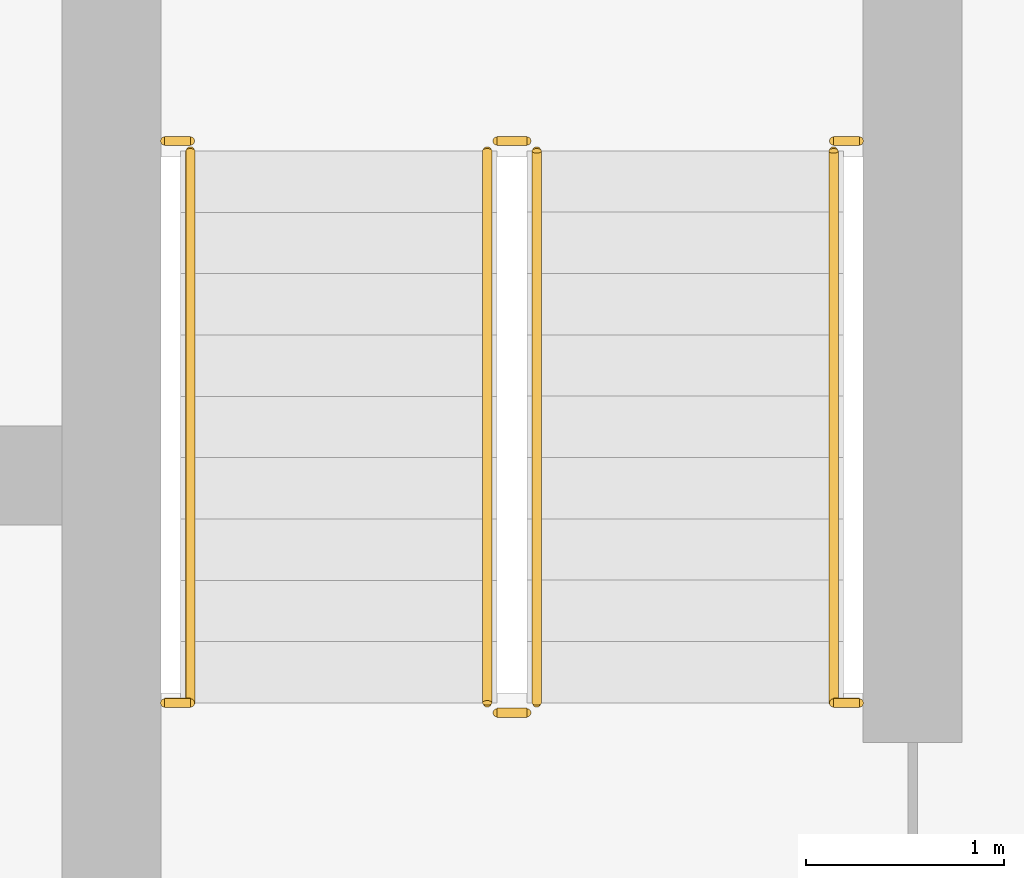
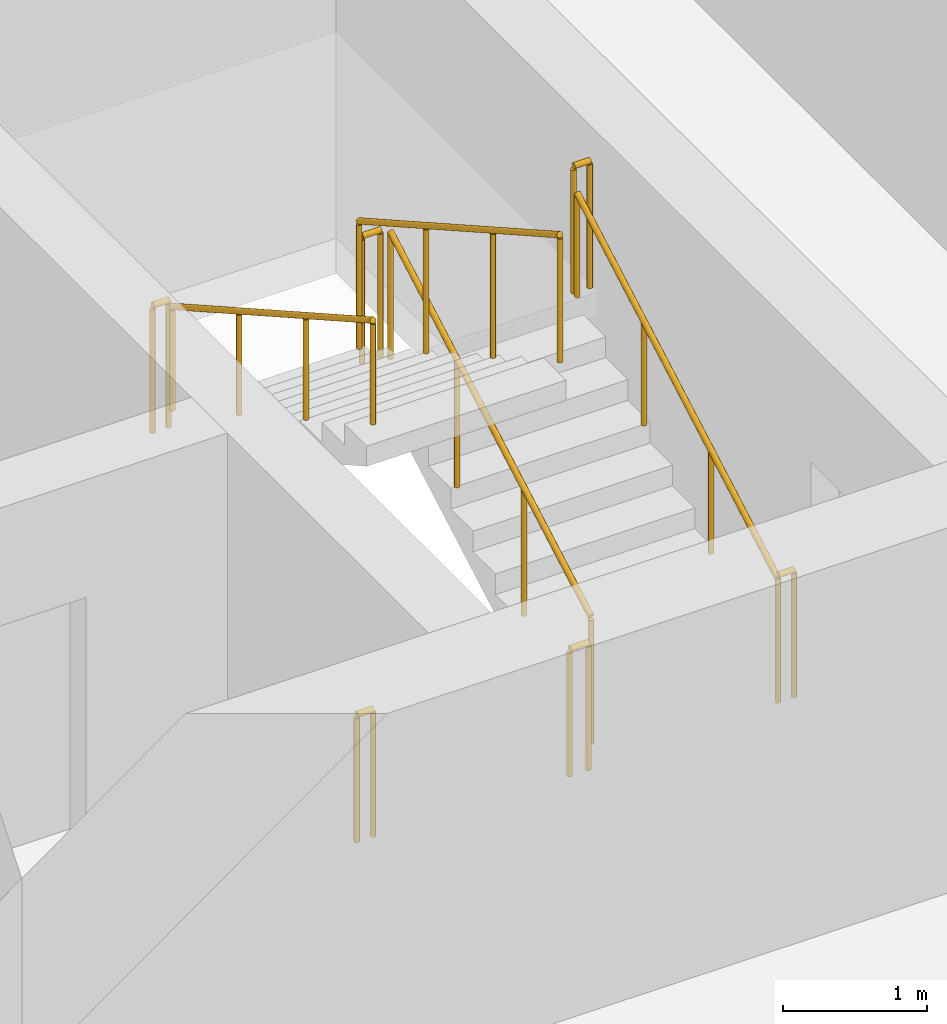
# One storey, part 20 of 22: 10 railings.
"""IFC4 building model written with IfcOpenShell, lengths in metres."""

from ifc_helpers import new_model, si_unit, direction, frame, origin, origin_2d, place, context, subcontext, project, spatial, circle, extrude, material, type_object, element, save


model = new_model("IFC4")

# Units and contexts
model_context = context("Model", 3, precision=1e-05, world=origin(), true_north=direction((0.0, 1.0)))
body_context = subcontext(model_context, "Body", "Model", "MODEL_VIEW")
ifc_project = project(units=[si_unit("LENGTHUNIT", "METRE"), si_unit("AREAUNIT", "SQUARE_METRE"), si_unit("VOLUMEUNIT", "CUBIC_METRE"), si_unit("PLANEANGLEUNIT", "RADIAN"), si_unit("MASSUNIT", "GRAM", prefix="KILO")], contexts=[model_context])

# Site, building, storey
site_placement = place(None, origin())
site = spatial("IfcSite", under=ifc_project, at=site_placement, CompositionType="ELEMENT")
building_placement = place(site_placement, origin())
building = spatial("IfcBuilding", under=site, at=building_placement, Name="Madar Terraces", CompositionType="ELEMENT")
storey_placement = place(building_placement, frame((0.0, 0.0, 199.89990234375)))
storey = spatial("IfcBuildingStorey", under=building, at=storey_placement, Name="L52", CompositionType="ELEMENT", Elevation=199.89990234375)

# Railings
ifc_material_1 = material(Name="Stainless steel railing", Category="steel")
railing_type_1 = type_object("IfcRailingType", Name="Stair guard 1100", PredefinedType="GUARDRAIL", material=ifc_material_1)
railing_1_placement = place(storey_placement, frame((41.449951171875, 17.60009765625, 0.175048828125)))
element("IfcRailing", 1, at=railing_1_placement, inside=storey, type_object=railing_type_1, Name="L52 ST3 stair guard 1", PredefinedType="GUARDRAIL", context=body_context, shape_type="SweptSolid", body=[
    extrude(circle(Radius=0.02392578125, at=origin_2d()), frame((0.0, 0.0, 1.076171875), z_axis=(0.0, 0.870815363784, 0.491610213684), x_axis=(-1.0, 0.0, 0.0)), (0.0, 0.0, 1.0), 3.20361328125),
    extrude(circle(Radius=0.02099609375, at=origin_2d()), origin(), (0.0, 0.0, 1.0), 1.052001953125),
    extrude(circle(Radius=0.02099609375, at=origin_2d()), frame((0.0, 0.929931640625, 0.52490234375)), (0.0, 0.0, 1.0), 1.052001953125),
    extrude(circle(Radius=0.02099609375, at=origin_2d()), frame((0.0, 1.85986328125, 1.050048828125)), (0.0, 0.0, 1.0), 1.052001953125),
    extrude(circle(Radius=0.02099609375, at=origin_2d()), frame((0.0, 2.789794921875, 1.574951171875)), (0.0, 0.0, 1.0), 1.052001953125),
])
railing_2_placement = place(storey_placement, frame((41.39990234375, 20.43994140625, 1.75)))
element("IfcRailing", 2, at=railing_2_placement, inside=storey, type_object=railing_type_1, Name="L52 ST3 stair guard 2", PredefinedType="GUARDRAIL", context=body_context, shape_type="SweptSolid", body=[
    extrude(circle(Radius=0.02392578125, at=origin_2d()), frame((0.0, 0.0, 1.076171875), z_axis=(-1.0, 0.0, 0.0), x_axis=(0.0, -1.0, 0.0)), (0.0, 0.0, 1.0), 0.14990234375),
    extrude(circle(Radius=0.02099609375, at=origin_2d()), origin(), (0.0, 0.0, 1.0), 1.052001953125),
    extrude(circle(Radius=0.02099609375, at=origin_2d()), frame((-0.14990234375, 0.0, 0.0)), (0.0, 0.0, 1.0), 1.052001953125),
])
railing_3_placement = place(storey_placement, frame((41.199951171875, 20.389892578125, 1.925048828125)))
element("IfcRailing", 3, at=railing_3_placement, inside=storey, type_object=railing_type_1, Name="L52 ST3 stair guard 3", PredefinedType="GUARDRAIL", context=body_context, shape_type="SweptSolid", body=[
    extrude(circle(Radius=0.02392578125, at=origin_2d()), frame((0.0, 0.0, 1.076171875), z_axis=(0.0, -0.870815363784, 0.491610213684), x_axis=(1.0, 0.0, 0.0)), (0.0, 0.0, 1.0), 3.20361328125),
    extrude(circle(Radius=0.02099609375, at=origin_2d()), origin(), (0.0, 0.0, 1.0), 1.052001953125),
    extrude(circle(Radius=0.02099609375, at=origin_2d()), frame((0.0, -0.929931640625, 0.52490234375)), (0.0, 0.0, 1.0), 1.052001953125),
    extrude(circle(Radius=0.02099609375, at=origin_2d()), frame((0.0, -1.85986328125, 1.050048828125)), (0.0, 0.0, 1.0), 1.052001953125),
    extrude(circle(Radius=0.02099609375, at=origin_2d()), frame((0.0, -2.789794921875, 1.574951171875)), (0.0, 0.0, 1.0), 1.052001953125),
])
railing_4_placement = place(storey_placement, frame((41.39990234375, 17.550048828125, 0.0)))
element("IfcRailing", 4, at=railing_4_placement, inside=storey, type_object=railing_type_1, Name="L52 ST3 stair guard 4", PredefinedType="GUARDRAIL", context=body_context, shape_type="SweptSolid", body=[
    extrude(circle(Radius=0.02392578125, at=origin_2d()), frame((0.0, 0.0, 1.076171875), z_axis=(-1.0, 0.0, 0.0), x_axis=(0.0, -1.0, 0.0)), (0.0, 0.0, 1.0), 0.14990234375),
    extrude(circle(Radius=0.02099609375, at=origin_2d()), origin(), (0.0, 0.0, 1.0), 1.052001953125),
    extrude(circle(Radius=0.02099609375, at=origin_2d()), frame((-0.14990234375, 0.0, 0.0)), (0.0, 0.0, 1.0), 1.052001953125),
])
railing_5_placement = place(storey_placement, frame((39.570068359375, 20.43994140625, 1.75)))
element("IfcRailing", 5, at=railing_5_placement, inside=storey, type_object=railing_type_1, Name="L52 stair guard seat 1", PredefinedType="GUARDRAIL", context=body_context, shape_type="SweptSolid", body=[
    extrude(circle(Radius=0.02392578125, at=origin_2d()), frame((0.0, 0.0, 1.076171875), z_axis=(1.0, 0.0, 0.0), x_axis=(0.0, 1.0, 0.0)), (0.0, 0.0, 1.0), 0.1298828125),
    extrude(circle(Radius=0.02099609375, at=origin_2d()), origin(), (0.0, 0.0, 1.0), 1.052001953125),
    extrude(circle(Radius=0.02099609375, at=origin_2d()), frame((0.1298828125, 0.0, 0.0)), (0.0, 0.0, 1.0), 1.052001953125),
])
railing_6_placement = place(storey_placement, frame((42.949951171875, 20.43994140625, 1.75)))
element("IfcRailing", 6, at=railing_6_placement, inside=storey, type_object=railing_type_1, Name="L52 stair guard seat 2", PredefinedType="GUARDRAIL", context=body_context, shape_type="SweptSolid", body=[
    extrude(circle(Radius=0.02392578125, at=origin_2d()), frame((0.0, 0.0, 1.076171875), z_axis=(1.0, 0.0, 0.0), x_axis=(0.0, 1.0, 0.0)), (0.0, 0.0, 1.0), 0.130126953125),
    extrude(circle(Radius=0.02099609375, at=origin_2d()), origin(), (0.0, 0.0, 1.0), 1.052001953125),
    extrude(circle(Radius=0.02099609375, at=origin_2d()), frame((0.130126953125, 0.0, 0.0)), (0.0, 0.0, 1.0), 1.052001953125),
])
railing_7_placement = place(storey_placement, frame((39.570068359375, 17.60009765625, 0.0)))
element("IfcRailing", 7, at=railing_7_placement, inside=storey, type_object=railing_type_1, Name="L52 stair guard floor 1", PredefinedType="GUARDRAIL", context=body_context, shape_type="SweptSolid", body=[
    extrude(circle(Radius=0.02392578125, at=origin_2d()), frame((0.0, 0.0, 1.076171875), z_axis=(1.0, 0.0, 0.0), x_axis=(0.0, 1.0, 0.0)), (0.0, 0.0, 1.0), 0.1298828125),
    extrude(circle(Radius=0.02099609375, at=origin_2d()), origin(), (0.0, 0.0, 1.0), 1.052001953125),
    extrude(circle(Radius=0.02099609375, at=origin_2d()), frame((0.1298828125, 0.0, 0.0)), (0.0, 0.0, 1.0), 1.052001953125),
])
railing_8_placement = place(storey_placement, frame((42.949951171875, 17.60009765625, 0.0)))
element("IfcRailing", 8, at=railing_8_placement, inside=storey, type_object=railing_type_1, Name="L52 stair guard floor 2", PredefinedType="GUARDRAIL", context=body_context, shape_type="SweptSolid", body=[
    extrude(circle(Radius=0.02392578125, at=origin_2d()), frame((0.0, 0.0, 1.076171875), z_axis=(1.0, 0.0, 0.0), x_axis=(0.0, 1.0, 0.0)), (0.0, 0.0, 1.0), 0.130126953125),
    extrude(circle(Radius=0.02099609375, at=origin_2d()), origin(), (0.0, 0.0, 1.0), 1.052001953125),
    extrude(circle(Radius=0.02099609375, at=origin_2d()), frame((0.130126953125, 0.0, 0.0)), (0.0, 0.0, 1.0), 1.052001953125),
])
ifc_material_2 = material(Name="Stainless steel railing", Category="steel")
railing_type_2 = type_object("IfcRailingType", Name="Stair handrail 900", PredefinedType="HANDRAIL", material=ifc_material_2)
railing_9_placement = place(storey_placement, frame((42.949951171875, 17.60009765625, 0.175048828125)))
element("IfcRailing", 9, at=railing_9_placement, inside=storey, type_object=railing_type_2, Name="L52 ST3 stair handrail 1", PredefinedType="HANDRAIL", context=body_context, shape_type="SweptSolid", body=[
    extrude(circle(Radius=0.02392578125, at=origin_2d()), frame((0.0, 0.0, 0.8759765625), z_axis=(0.0, 0.870815363784, 0.491610213684), x_axis=(-1.0, 0.0, 0.0)), (0.0, 0.0, 1.0), 3.20361328125),
    extrude(circle(Radius=0.02099609375, at=origin_2d()), origin(), (0.0, 0.0, 1.0), 0.851806640625),
    extrude(circle(Radius=0.02099609375, at=origin_2d()), frame((0.0, 0.929931640625, 0.52490234375)), (0.0, 0.0, 1.0), 0.851806640625),
    extrude(circle(Radius=0.02099609375, at=origin_2d()), frame((0.0, 1.85986328125, 1.050048828125)), (0.0, 0.0, 1.0), 0.851806640625),
    extrude(circle(Radius=0.02099609375, at=origin_2d()), frame((0.0, 2.789794921875, 1.574951171875)), (0.0, 0.0, 1.0), 0.851806640625),
])
railing_10_placement = place(storey_placement, frame((39.699951171875, 20.389892578125, 1.925048828125)))
element("IfcRailing", 10, at=railing_10_placement, inside=storey, type_object=railing_type_2, Name="L52 ST3 stair handrail 2", PredefinedType="HANDRAIL", context=body_context, shape_type="SweptSolid", body=[
    extrude(circle(Radius=0.02392578125, at=origin_2d()), frame((0.0, 0.0, 0.8759765625), z_axis=(0.0, -0.870815363784, 0.491610213684), x_axis=(1.0, 0.0, 0.0)), (0.0, 0.0, 1.0), 3.20361328125),
    extrude(circle(Radius=0.02099609375, at=origin_2d()), origin(), (0.0, 0.0, 1.0), 0.851806640625),
    extrude(circle(Radius=0.02099609375, at=origin_2d()), frame((0.0, -0.929931640625, 0.52490234375)), (0.0, 0.0, 1.0), 0.851806640625),
    extrude(circle(Radius=0.02099609375, at=origin_2d()), frame((0.0, -1.85986328125, 1.050048828125)), (0.0, 0.0, 1.0), 0.851806640625),
    extrude(circle(Radius=0.02099609375, at=origin_2d()), frame((0.0, -2.789794921875, 1.574951171875)), (0.0, 0.0, 1.0), 0.851806640625),
])

save(model, "model.ifc")
